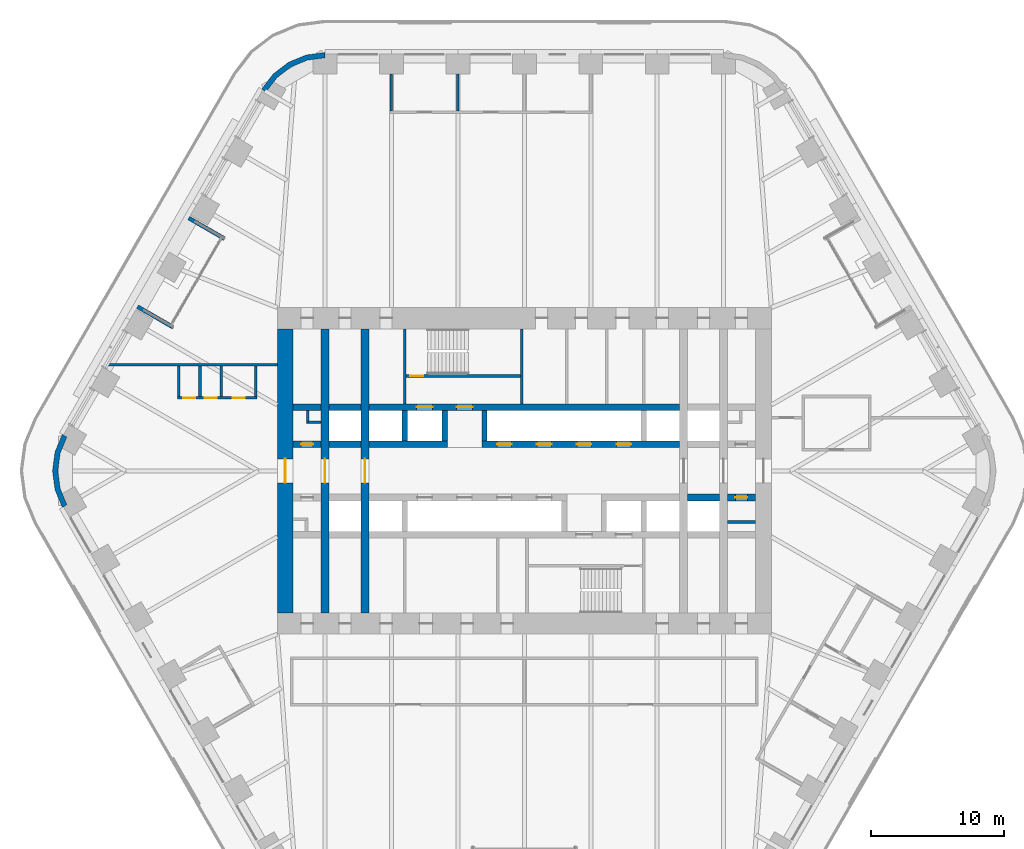
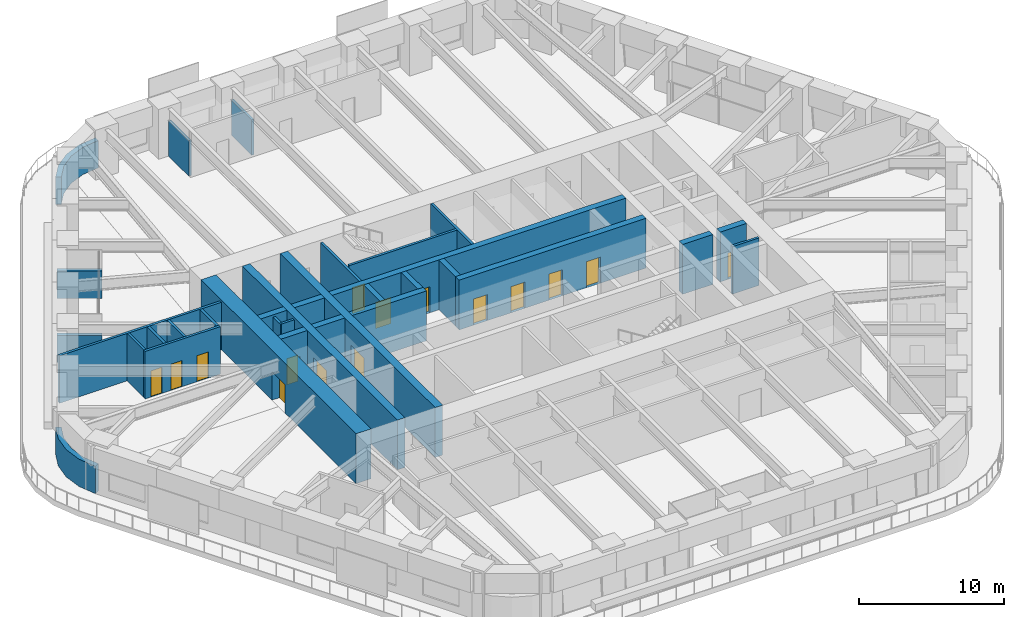
# One storey, part 19 of 24: 33 walls, 15 doors, 15 openings.
"""IFC4 building model written with IfcOpenShell, lengths in metres."""

from ifc_helpers import new_model, si_unit, direction, frame, frame_2d, origin, place, context, subcontext, project, spatial, polyline, rectangle, outline, extrude, material, layer, layer_set, type_object, element, fill, save


model = new_model("IFC4")

# Units and contexts
model_context = context("Model", 3, precision=1e-05, world=origin(), true_north=direction((0.0, 1.0)))
body_context = subcontext(model_context, "Body", "Model", "MODEL_VIEW")
ifc_project = project(units=[si_unit("LENGTHUNIT", "METRE"), si_unit("AREAUNIT", "SQUARE_METRE"), si_unit("VOLUMEUNIT", "CUBIC_METRE"), si_unit("PLANEANGLEUNIT", "RADIAN"), si_unit("MASSUNIT", "GRAM", prefix="KILO")], contexts=[model_context])

# Site, building, storey
site_placement = place(None, origin())
site = spatial("IfcSite", under=ifc_project, at=site_placement, CompositionType="ELEMENT")
building_placement = place(site_placement, origin())
building = spatial("IfcBuilding", under=site, at=building_placement, Name="Tarfa Lantern Tower", CompositionType="ELEMENT")
storey_placement = place(building_placement, frame((0.0, 0.0, 123.699951171875)))
storey = spatial("IfcBuildingStorey", under=building, at=storey_placement, Name="L27", CompositionType="ELEMENT", Elevation=123.699951171875)

# Walls
ifc_material_1 = material(Name="Limestone cladding on blockwork", Category="masonry")
ifc_layer_1 = layer(ifc_material_1, 0.300048828125)
ifc_layer_set_1 = layer_set([ifc_layer_1], Name="EW1 STONE-CLAD WALL 300")
wall_type_1 = type_object("IfcWallType", Name="EW1 STONE-CLAD WALL 300", PredefinedType="SOLIDWALL", material=ifc_layer_set_1)
wall_1_placement = place(storey_placement, frame((-25.266357421875, 19.037353515625, 0.0), z_axis=(0.0, 0.0, 1.0), x_axis=(0.86600983753, -0.500026960575, 0.0)))
element("IfcWall", 1, at=wall_1_placement, inside=storey, type_object=wall_type_1, Name="Loggia return NW 1", PredefinedType="SOLIDWALL", context=body_context, shape_type="SweptSolid", body=[
    extrude(rectangle(XDim=3.099853515625, YDim=0.300048828125, at=frame_2d((1.5498046875, 0.0))), origin(), (0.0, 0.0, 1.0), 2.300048828125),
])
wall_2_placement = place(storey_placement, frame((-29.1201171875, 12.362548828125, 0.0), z_axis=(0.0, 0.0, 1.0), x_axis=(0.86602952684, -0.49999285859, 0.0)))
element("IfcWall", 2, at=wall_2_placement, inside=storey, type_object=wall_type_1, Name="Loggia return NW 2", PredefinedType="SOLIDWALL", context=body_context, shape_type="SweptSolid", body=[
    extrude(rectangle(XDim=3.10009765625, YDim=0.300048828125, at=frame_2d((1.550048828125, 0.0))), origin(), (0.0, 0.0, 1.0), 2.300048828125),
])
ifc_layer_2 = layer(ifc_material_1, 0.39990234375)
ifc_layer_set_2 = layer_set([ifc_layer_2], Name="EW2 CURVED STONE CORNER 400")
wall_type_2 = type_object("IfcWallType", Name="EW2 CURVED STONE CORNER 400", PredefinedType="SOLIDWALL", material=ifc_layer_set_2)
wall_3_placement = place(storey_placement, origin())
element("IfcWall", 3, at=wall_3_placement, inside=storey, type_object=wall_type_2, Name="Stone corner N-NW", PredefinedType="SOLIDWALL", context=body_context, shape_type="SweptSolid", body=[
    extrude(outline(polyline([(-15.010986328125, 31.5), (-16.4345703125, 31.3125), (-17.760986328125, 30.76318359375), (-18.900146484375, 29.88916015625), (-19.774169921875, 28.75), (-19.427734375, 28.550048828125), (-18.617431640625, 29.606201171875), (-17.56103515625, 30.416748046875), (-16.3310546875, 30.92626953125), (-15.010986328125, 31.10009765625), (-15.010986328125, 31.5)])), origin(), (0.0, 0.0, 1.0), 2.300048828125),
])
wall_4_placement = place(storey_placement, origin())
element("IfcWall", 4, at=wall_4_placement, inside=storey, type_object=wall_type_2, Name="Stone corner NW-SW", PredefinedType="SOLIDWALL", context=body_context, shape_type="SweptSolid", body=[
    extrude(outline(polyline([(-34.785400390625, 2.75), (-35.334716796875, 1.423583984375), (-35.522216796875, 0.0), (-35.334716796875, -1.423583984375), (-34.785400390625, -2.75), (-34.43896484375, -2.550048828125), (-34.948486328125, -1.320068359375), (-35.122314453125, 0.0), (-34.948486328125, 1.320068359375), (-34.43896484375, 2.550048828125), (-34.785400390625, 2.75)])), origin(), (0.0, 0.0, 1.0), 2.300048828125),
])
ifc_material_2 = material(Name="Concrete blockwork", Category="masonry")
ifc_layer_3 = layer(ifc_material_2, 0.199951171875)
ifc_layer_set_3 = layer_set([ifc_layer_3], Name="IW1 BLOCKWORK PARTITION 200 EI 120")
wall_type_3 = type_object("IfcWallType", Name="IW1 BLOCKWORK PARTITION 200 EI 120", PredefinedType="PARTITIONING", material=ifc_layer_set_3)
wall_5_placement = place(storey_placement, frame((-9.0, 5.050048828125, 0.0), z_axis=(0.0, 0.0, 1.0), x_axis=(0.0, 1.0, 0.0)))
element("IfcWall", 5, at=wall_5_placement, inside=storey, type_object=wall_type_3, Name="Core partition", PredefinedType="PARTITIONING", context=body_context, shape_type="SweptSolid", body=[
    extrude(rectangle(XDim=5.64990234375, YDim=0.199951171875, at=frame_2d((2.824951171875, 0.0))), origin(), (0.0, 0.0, 1.0), 4.0),
])
for number, where, z_axis, x_axis, name in (
    (6, (-16.300048828125, 3.64990234375, 0.0), (0.0, 0.0, 1.0), (1.0, 0.0, 0.0), "Core partition"),
    (7, (-16.300048828125, 3.550048828125, 0.0), (0.0, 0.0, 1.0), (0.0, 1.0, 0.0), "Core partition"),
):
    element("IfcWall", number, at=place(storey_placement, frame(where, z_axis=z_axis, x_axis=x_axis)), inside=storey, type_object=wall_type_3, Name=name, PredefinedType="PARTITIONING", context=body_context, shape_type="SweptSolid", body=[
        extrude(rectangle(XDim=1.0, YDim=0.199951171875, at=frame_2d((0.5, 0.0))), origin(), (0.0, 0.0, 1.0), 4.0),
    ])
wall_6_placement = place(storey_placement, frame((17.39990234375, -3.85009765625, 0.0), z_axis=(0.0, 0.0, 1.0), x_axis=(-1.0, 0.0, 0.0)))
element("IfcWall", 8, at=wall_6_placement, inside=storey, type_object=wall_type_3, Name="Core partition", PredefinedType="PARTITIONING", context=body_context, shape_type="SweptSolid", body=[
    extrude(rectangle(XDim=2.099853515625, YDim=0.199951171875, at=frame_2d((1.0498046875, 0.0))), origin(), (0.0, 0.0, 1.0), 4.0),
])
ifc_material_3 = material(Name="Gypsum board on steel studs", Category="steel")
ifc_layer_4 = layer(ifc_material_3, 0.2099609375)
ifc_layer_set_4 = layer_set([ifc_layer_4], Name="IW2 ACOUSTIC PARTITION 200")
wall_type_4 = type_object("IfcWallType", Name="IW2 ACOUSTIC PARTITION 200", PredefinedType="PARTITIONING", material=ifc_layer_set_4)
for number, where, z_axis, x_axis, name in (
    (9, (-5.003662109375, 27.10009765625, 0.0), (0.0, 0.0, 1.0), (0.0, 1.0, 0.0), "Partition"),
    (10, (-10.00732421875, 27.10009765625, 0.0), (0.0, 0.0, 1.0), (0.0, 1.0, 0.0), "Partition"),
):
    element("IfcWall", number, at=place(storey_placement, frame(where, z_axis=z_axis, x_axis=x_axis)), inside=storey, type_object=wall_type_4, Name=name, PredefinedType="PARTITIONING", context=body_context, shape_type="SweptSolid", body=[
        extrude(rectangle(XDim=2.7998046875, YDim=0.199951171875, at=frame_2d((1.39990234375, 0.0))), origin(), (0.0, 0.0, 1.0), 2.991943359375),
    ])
wall_7_placement = place(storey_placement, frame((-18.60009765625, 8.0, 0.0), z_axis=(0.0, 0.0, 1.0), x_axis=(-1.0, 0.0, 0.0)))
element("IfcWall", 11, at=wall_7_placement, inside=storey, type_object=wall_type_4, Name="Partition", PredefinedType="PARTITIONING", context=body_context, shape_type="SweptSolid", body=[
    extrude(rectangle(XDim=12.89990234375, YDim=0.199951171875, at=frame_2d((6.449951171875, 0.0))), origin(), (0.0, 0.0, 1.0), 4.0),
])

# Wall, openings, doors
wall_8_placement = place(storey_placement, frame((-20.114990234375, 5.5, 0.0), z_axis=(0.0, 0.0, 1.0), x_axis=(-1.0, 0.0, 0.0)))
wall_8 = element("IfcWall", 12, at=wall_8_placement, inside=storey, type_object=wall_type_4, Name="Partition", PredefinedType="PARTITIONING", context=body_context, shape_type="SweptSolid", body=[
    extrude(rectangle(XDim=6.0, YDim=0.199951171875, at=frame_2d((3.0, 0.0))), origin(), (0.0, 0.0, 1.0), 4.0),
])
opening_1_placement = place(wall_8_placement, frame((0.949951171875, 0.0, 0.0)))
opening_1 = element("IfcOpeningElement", 13, at=opening_1_placement, cuts=wall_8, Name="Opening D44", PredefinedType="OPENING", context=body_context, shape_type="SweptSolid", body=[
    extrude(rectangle(XDim=0.89990234375, YDim=2.199951171875, at=frame_2d((0.449951171875, 1.10009765625))), frame((0.0, 0.10986328125, 0.0), z_axis=(0.0, -1.0, 0.0), x_axis=(1.0, 0.0, 0.0)), (0.0, 0.0, 1.0), 0.219970703125),
])
opening_2_placement = place(wall_8_placement, frame((3.050048828125, 0.0, 0.0)))
opening_2 = element("IfcOpeningElement", 14, at=opening_2_placement, cuts=wall_8, Name="Opening D45", PredefinedType="OPENING", context=body_context, shape_type="SweptSolid", body=[
    extrude(rectangle(XDim=0.89990234375, YDim=2.199951171875, at=frame_2d((0.449951171875, 1.10009765625))), frame((0.0, 0.10986328125, 0.0), z_axis=(0.0, -1.0, 0.0), x_axis=(1.0, 0.0, 0.0)), (0.0, 0.0, 1.0), 0.219970703125),
])
opening_3_placement = place(wall_8_placement, frame((4.64990234375, 0.0, 0.0)))
opening_3 = element("IfcOpeningElement", 15, at=opening_3_placement, cuts=wall_8, Name="Opening D46", PredefinedType="OPENING", context=body_context, shape_type="SweptSolid", body=[
    extrude(rectangle(XDim=0.89990234375, YDim=2.199951171875, at=frame_2d((0.449951171875, 1.10009765625))), frame((0.0, 0.10986328125, 0.0), z_axis=(0.0, -1.0, 0.0), x_axis=(1.0, 0.0, 0.0)), (0.0, 0.0, 1.0), 0.219970703125),
])
ifc_material_4 = material(Name="Timber door", Category="wood")
door_type_1 = type_object("IfcDoorType", Name="DR3 ROOM DOOR 900x2200", OperationType="SINGLE_SWING_LEFT", PredefinedType="DOOR", material=ifc_material_4)
door_1_placement = place(opening_1_placement, frame((0.89990234375, 0.0, 0.0), z_axis=(0.0, 0.0, 1.0), x_axis=(-1.0, 0.0, 0.0)))
door_1 = element("IfcDoor", 16, at=door_1_placement, inside=storey, type_object=door_type_1, Name="Print and copy room door", OperationType="SINGLE_SWING_LEFT", OverallHeight=2.199951171875, OverallWidth=0.89990234375, PredefinedType="DOOR", context=body_context, shape_type="SweptSolid", body=[
    extrude(rectangle(XDim=0.89990234375, YDim=2.199951171875, at=frame_2d((0.449951171875, 1.10009765625))), frame((0.0, 0.02490234375, 0.0), z_axis=(0.0, -1.0, 0.0), x_axis=(1.0, 0.0, 0.0)), (0.0, 0.0, 1.0), 0.050048828125),
])
fill(opening_1, door_1)
door_2_placement = place(opening_2_placement, frame((0.89990234375, 0.0, 0.0), z_axis=(0.0, 0.0, 1.0), x_axis=(-1.0, 0.0, 0.0)))
door_2 = element("IfcDoor", 17, at=door_2_placement, inside=storey, type_object=door_type_1, Name="Phone booth door", OperationType="SINGLE_SWING_RIGHT", OverallHeight=2.199951171875, OverallWidth=0.89990234375, PredefinedType="DOOR", context=body_context, shape_type="SweptSolid", body=[
    extrude(rectangle(XDim=0.89990234375, YDim=2.199951171875, at=frame_2d((0.449951171875, 1.10009765625))), frame((0.0, 0.02490234375, 0.0), z_axis=(0.0, -1.0, 0.0), x_axis=(1.0, 0.0, 0.0)), (0.0, 0.0, 1.0), 0.050048828125),
])
fill(opening_2, door_2)
door_3_placement = place(opening_3_placement, frame((0.89990234375, 0.0, 0.0), z_axis=(0.0, 0.0, 1.0), x_axis=(-1.0, 0.0, 0.0)))
door_3 = element("IfcDoor", 18, at=door_3_placement, inside=storey, type_object=door_type_1, Name="Phone booth door", OperationType="SINGLE_SWING_RIGHT", OverallHeight=2.199951171875, OverallWidth=0.89990234375, PredefinedType="DOOR", context=body_context, shape_type="SweptSolid", body=[
    extrude(rectangle(XDim=0.89990234375, YDim=2.199951171875, at=frame_2d((0.449951171875, 1.10009765625))), frame((0.0, 0.02490234375, 0.0), z_axis=(0.0, -1.0, 0.0), x_axis=(1.0, 0.0, 0.0)), (0.0, 0.0, 1.0), 0.050048828125),
])
fill(opening_3, door_3)

# Walls
for number, where, z_axis, x_axis, name in (
    (19, (-20.215087890625, 7.89990234375, 0.0), (0.0, 0.0, 1.0), (0.0, -1.0, 0.0), "Partition"),
    (20, (-22.81494140625, 7.89990234375, 0.0), (0.0, 0.0, 1.0), (0.0, -1.0, 0.0), "Partition"),
    (21, (-24.4150390625, 7.89990234375, 0.0), (0.0, 0.0, 1.0), (0.0, -1.0, 0.0), "Partition"),
    (22, (-26.01513671875, 7.89990234375, 0.0), (0.0, 0.0, 1.0), (0.0, -1.0, 0.0), "Partition"),
):
    element("IfcWall", number, at=place(storey_placement, frame(where, z_axis=z_axis, x_axis=x_axis)), inside=storey, type_object=wall_type_4, Name=name, PredefinedType="PARTITIONING", context=body_context, shape_type="SweptSolid", body=[
        extrude(rectangle(XDim=2.2998046875, YDim=0.199951171875, at=frame_2d((1.14990234375, 0.0))), origin(), (0.0, 0.0, 1.0), 4.0),
    ])

# Wall, opening, door
ifc_material_5 = material(Name="Concrete C80/95", Category="concrete")
ifc_layer_5 = layer(ifc_material_5, 1.199951171875)
ifc_layer_set_5 = layer_set([ifc_layer_5], Name="SW1 CORE WALL 1200")
wall_type_5 = type_object("IfcWallType", Name="SW1 CORE WALL 1200", PredefinedType="SHEAR", material=ifc_layer_set_5)
wall_9_placement = place(storey_placement, frame((-18.0, 10.699951171875, 0.0), z_axis=(0.0, 0.0, 1.0), x_axis=(0.0, -1.0, 0.0)))
wall_9 = element("IfcWall", 23, at=wall_9_placement, inside=storey, type_object=wall_type_5, Name="Core wall W", PredefinedType="SHEAR", context=body_context, shape_type="SweptSolid", body=[
    extrude(rectangle(XDim=21.39990234375, YDim=1.199951171875, at=frame_2d((10.699951171875, 0.0))), origin(), (0.0, 0.0, 1.0), 4.199951171875),
])
opening_4_placement = place(wall_9_placement, frame((9.800048828125, 0.0, 0.0)))
opening_4 = element("IfcOpeningElement", 24, at=opening_4_placement, cuts=wall_9, Name="Opening D16", PredefinedType="OPENING", context=body_context, shape_type="SweptSolid", body=[
    extrude(rectangle(XDim=1.800048828125, YDim=2.39990234375, at=frame_2d((0.89990234375, 1.199951171875))), frame((0.0, 0.60986328125, 0.0), z_axis=(0.0, -1.0, 0.0), x_axis=(1.0, 0.0, 0.0)), (0.0, 0.0, 1.0), 1.219970703125),
])
ifc_material_6 = material(Name="Steel fire door", Category="steel")
door_type_2 = type_object("IfcDoorType", Name="DL1 LOBBY DOOR 1800x2400", OperationType="DOUBLE_DOOR_SINGLE_SWING", PredefinedType="DOOR", material=ifc_material_6)
door_4_placement = place(opening_4_placement, frame((1.800048828125, 0.0, 0.0), z_axis=(0.0, 0.0, 1.0), x_axis=(-1.0, 0.0, 0.0)))
door_4 = element("IfcDoor", 25, at=door_4_placement, inside=storey, type_object=door_type_2, Name="Lift lobby door", OperationType="DOUBLE_DOOR_SINGLE_SWING", OverallHeight=2.39990234375, OverallWidth=1.800048828125, PredefinedType="DOOR", context=body_context, shape_type="SweptSolid", body=[
    extrude(rectangle(XDim=1.800048828125, YDim=2.39990234375, at=frame_2d((0.89990234375, 1.199951171875))), frame((0.0, 0.02490234375, 0.0), z_axis=(0.0, -1.0, 0.0), x_axis=(1.0, 0.0, 0.0)), (0.0, 0.0, 1.0), 0.050048828125),
])
fill(opening_4, door_4)

# Wall
ifc_layer_6 = layer(ifc_material_5, 0.199951171875)
ifc_layer_set_6 = layer_set([ifc_layer_6], Name="SW12 CORE WALL 200")
wall_type_6 = type_object("IfcWallType", Name="SW12 CORE WALL 200", PredefinedType="SHEAR", material=ifc_layer_set_6)
wall_10_placement = place(storey_placement, frame((-0.199951171875, 5.050048828125, 0.0), z_axis=(0.0, 0.0, 1.0), x_axis=(0.0, 1.0, 0.0)))
element("IfcWall", 26, at=wall_10_placement, inside=storey, type_object=wall_type_6, Name="Core wall stair shaft N", PredefinedType="SHEAR", context=body_context, shape_type="SweptSolid", body=[
    extrude(rectangle(XDim=5.64990234375, YDim=0.199951171875, at=frame_2d((2.824951171875, 0.0))), origin(), (0.0, 0.0, 1.0), 4.199951171875),
])

# Wall, opening, door
wall_11_placement = place(storey_placement, frame((-8.89990234375, 7.14990234375, 0.0), z_axis=(0.0, 0.0, 1.0), x_axis=(1.0, 0.0, 0.0)))
wall_11 = element("IfcWall", 27, at=wall_11_placement, inside=storey, type_object=wall_type_6, Name="Core wall stair partition N", PredefinedType="SHEAR", context=body_context, shape_type="SweptSolid", body=[
    extrude(rectangle(XDim=8.599853515625, YDim=0.199951171875, at=frame_2d((4.2998046875, 0.0))), origin(), (0.0, 0.0, 1.0), 4.199951171875),
])
opening_5_placement = place(wall_11_placement, frame((0.300048828125, 0.0, 0.0)))
opening_5 = element("IfcOpeningElement", 28, at=opening_5_placement, cuts=wall_11, Name="Opening D27", PredefinedType="OPENING", context=body_context, shape_type="SweptSolid", body=[
    extrude(rectangle(XDim=1.0, YDim=2.199951171875, at=frame_2d((0.5, 1.10009765625))), frame((0.0, 0.10986328125, 0.0), z_axis=(0.0, -1.0, 0.0), x_axis=(1.0, 0.0, 0.0)), (0.0, 0.0, 1.0), 0.219970703125),
])
door_type_3 = type_object("IfcDoorType", Name="DF2 STAIR DOOR 1000x2200", OperationType="SINGLE_SWING_LEFT", PredefinedType="DOOR", material=ifc_material_6)
door_5_placement = place(opening_5_placement, origin())
door_5 = element("IfcDoor", 29, at=door_5_placement, inside=storey, type_object=door_type_3, Name="Stair door", OperationType="SINGLE_SWING_RIGHT", OverallHeight=2.199951171875, OverallWidth=1.0, PredefinedType="DOOR", context=body_context, shape_type="SweptSolid", body=[
    extrude(rectangle(XDim=1.0, YDim=2.199951171875, at=frame_2d((0.5, 1.10009765625))), frame((0.0, 0.02490234375, 0.0), z_axis=(0.0, -1.0, 0.0), x_axis=(1.0, 0.0, 0.0)), (0.0, 0.0, 1.0), 0.050048828125),
])
fill(opening_5, door_5)

ifc_layer_7 = layer(ifc_material_5, 0.5)
ifc_layer_set_7 = layer_set([ifc_layer_7], Name="SW5 CORE WALL 500")
wall_type_7 = type_object("IfcWallType", Name="SW5 CORE WALL 500", PredefinedType="SHEAR", material=ifc_layer_set_7)
wall_12_placement = place(storey_placement, frame((-17.39990234375, 2.0, 0.0), z_axis=(0.0, 0.0, 1.0), x_axis=(1.0, 0.0, 0.0)))
wall_12 = element("IfcWall", 30, at=wall_12_placement, inside=storey, type_object=wall_type_7, Name="Core wall lobby west N", PredefinedType="SHEAR", context=body_context, shape_type="SweptSolid", body=[
    extrude(rectangle(XDim=2.099853515625, YDim=0.5, at=frame_2d((1.0498046875, 0.0))), origin(), (0.0, 0.0, 1.0), 4.199951171875),
])
opening_6_placement = place(wall_12_placement, frame((0.60009765625, 0.0, 0.0)))
opening_6 = element("IfcOpeningElement", 31, at=opening_6_placement, cuts=wall_12, Name="Opening D19", PredefinedType="OPENING", context=body_context, shape_type="SweptSolid", body=[
    extrude(rectangle(XDim=0.89990234375, YDim=2.199951171875, at=frame_2d((0.449951171875, 1.10009765625))), frame((0.0, 0.260009765625, 0.0), z_axis=(0.0, -1.0, 0.0), x_axis=(1.0, 0.0, 0.0)), (0.0, 0.0, 1.0), 0.52001953125),
])
door_type_4 = type_object("IfcDoorType", Name="DF6 SERVICE ROOM DOOR 900x2200", OperationType="SINGLE_SWING_LEFT", PredefinedType="DOOR", material=ifc_material_6)
door_6_placement = place(opening_6_placement, origin())
door_6 = element("IfcDoor", 32, at=door_6_placement, inside=storey, type_object=door_type_4, Name="Service room door", OperationType="SINGLE_SWING_LEFT", OverallHeight=2.199951171875, OverallWidth=0.89990234375, PredefinedType="DOOR", context=body_context, shape_type="SweptSolid", body=[
    extrude(rectangle(XDim=0.89990234375, YDim=2.199951171875, at=frame_2d((0.449951171875, 1.10009765625))), frame((0.0, 0.02490234375, 0.0), z_axis=(0.0, -1.0, 0.0), x_axis=(1.0, 0.0, 0.0)), (0.0, 0.0, 1.0), 0.050048828125),
])
fill(opening_6, door_6)

# Walls
wall_13_placement = place(storey_placement, frame((-14.699951171875, 2.0, 0.0), z_axis=(0.0, 0.0, 1.0), x_axis=(1.0, 0.0, 0.0)))
element("IfcWall", 33, at=wall_13_placement, inside=storey, type_object=wall_type_7, Name="Core wall lobby west N", PredefinedType="SHEAR", context=body_context, shape_type="SweptSolid", body=[
    extrude(rectangle(XDim=2.39990234375, YDim=0.5, at=frame_2d((1.199951171875, 0.0))), origin(), (0.0, 0.0, 1.0), 4.199951171875),
])
wall_14_placement = place(storey_placement, frame((-11.699951171875, 2.0, 0.0), z_axis=(0.0, 0.0, 1.0), x_axis=(1.0, 0.0, 0.0)))
element("IfcWall", 34, at=wall_14_placement, inside=storey, type_object=wall_type_7, Name="Core wall lobby west N", PredefinedType="SHEAR", context=body_context, shape_type="SweptSolid", body=[
    extrude(rectangle(XDim=5.89990234375, YDim=0.5, at=frame_2d((2.949951171875, 0.0))), origin(), (0.0, 0.0, 1.0), 4.199951171875),
])

# Wall, openings, doors
wall_15_placement = place(storey_placement, frame((-3.199951171875, 2.0, 0.0), z_axis=(0.0, 0.0, 1.0), x_axis=(1.0, 0.0, 0.0)))
wall_15 = element("IfcWall", 35, at=wall_15_placement, inside=storey, type_object=wall_type_7, Name="Core wall lobby east N", PredefinedType="SHEAR", context=body_context, shape_type="SweptSolid", body=[
    extrude(rectangle(XDim=14.89990234375, YDim=0.5, at=frame_2d((7.449951171875, 0.0))), origin(), (0.0, 0.0, 1.0), 4.199951171875),
])
opening_7_placement = place(wall_15_placement, frame((1.14990234375, 0.0, 0.0)))
opening_7 = element("IfcOpeningElement", 36, at=opening_7_placement, cuts=wall_15, Name="Opening LD03", PredefinedType="OPENING", context=body_context, shape_type="SweptSolid", body=[
    extrude(rectangle(XDim=1.10009765625, YDim=2.199951171875, at=frame_2d((0.550048828125, 1.10009765625))), frame((0.0, 0.260009765625, 0.0), z_axis=(0.0, -1.0, 0.0), x_axis=(1.0, 0.0, 0.0)), (0.0, 0.0, 1.0), 0.52001953125),
])
opening_8_placement = place(wall_15_placement, frame((4.14990234375, 0.0, 0.0)))
opening_8 = element("IfcOpeningElement", 37, at=opening_8_placement, cuts=wall_15, Name="Opening LD04", PredefinedType="OPENING", context=body_context, shape_type="SweptSolid", body=[
    extrude(rectangle(XDim=1.10009765625, YDim=2.199951171875, at=frame_2d((0.550048828125, 1.10009765625))), frame((0.0, 0.260009765625, 0.0), z_axis=(0.0, -1.0, 0.0), x_axis=(1.0, 0.0, 0.0)), (0.0, 0.0, 1.0), 0.52001953125),
])
opening_9_placement = place(wall_15_placement, frame((7.14990234375, 0.0, 0.0)))
opening_9 = element("IfcOpeningElement", 38, at=opening_9_placement, cuts=wall_15, Name="Opening LD05", PredefinedType="OPENING", context=body_context, shape_type="SweptSolid", body=[
    extrude(rectangle(XDim=1.10009765625, YDim=2.199951171875, at=frame_2d((0.550048828125, 1.10009765625))), frame((0.0, 0.260009765625, 0.0), z_axis=(0.0, -1.0, 0.0), x_axis=(1.0, 0.0, 0.0)), (0.0, 0.0, 1.0), 0.52001953125),
])
opening_10_placement = place(wall_15_placement, frame((10.14990234375, 0.0, 0.0)))
opening_10 = element("IfcOpeningElement", 39, at=opening_10_placement, cuts=wall_15, Name="Opening LD06", PredefinedType="OPENING", context=body_context, shape_type="SweptSolid", body=[
    extrude(rectangle(XDim=1.10009765625, YDim=2.199951171875, at=frame_2d((0.550048828125, 1.10009765625))), frame((0.0, 0.260009765625, 0.0), z_axis=(0.0, -1.0, 0.0), x_axis=(1.0, 0.0, 0.0)), (0.0, 0.0, 1.0), 0.52001953125),
])
ifc_material_7 = material(Name="Stainless steel lift door", Category="steel")
door_type_5 = type_object("IfcDoorType", Name="LD2 LIFT LANDING DOOR 1100x2200", OperationType="SLIDING_TO_LEFT", PredefinedType="DOOR", material=ifc_material_7)
door_7_placement = place(opening_7_placement, frame((1.10009765625, 0.0, 0.0), z_axis=(0.0, 0.0, 1.0), x_axis=(-1.0, 0.0, 0.0)))
door_7 = element("IfcDoor", 40, at=door_7_placement, inside=storey, type_object=door_type_5, Name="Landing door PB1", OperationType="SLIDING_TO_LEFT", OverallHeight=2.199951171875, OverallWidth=1.10009765625, PredefinedType="DOOR", context=body_context, shape_type="SweptSolid", body=[
    extrude(rectangle(XDim=1.10009765625, YDim=2.199951171875, at=frame_2d((0.550048828125, 1.10009765625))), frame((0.0, 0.02490234375, 0.0), z_axis=(0.0, -1.0, 0.0), x_axis=(1.0, 0.0, 0.0)), (0.0, 0.0, 1.0), 0.050048828125),
])
fill(opening_7, door_7)
door_8_placement = place(opening_8_placement, frame((1.10009765625, 0.0, 0.0), z_axis=(0.0, 0.0, 1.0), x_axis=(-1.0, 0.0, 0.0)))
door_8 = element("IfcDoor", 41, at=door_8_placement, inside=storey, type_object=door_type_5, Name="Landing door PB2", OperationType="SLIDING_TO_LEFT", OverallHeight=2.199951171875, OverallWidth=1.10009765625, PredefinedType="DOOR", context=body_context, shape_type="SweptSolid", body=[
    extrude(rectangle(XDim=1.10009765625, YDim=2.199951171875, at=frame_2d((0.550048828125, 1.10009765625))), frame((0.0, 0.02490234375, 0.0), z_axis=(0.0, -1.0, 0.0), x_axis=(1.0, 0.0, 0.0)), (0.0, 0.0, 1.0), 0.050048828125),
])
fill(opening_8, door_8)
door_9_placement = place(opening_9_placement, frame((1.10009765625, 0.0, 0.0), z_axis=(0.0, 0.0, 1.0), x_axis=(-1.0, 0.0, 0.0)))
door_9 = element("IfcDoor", 42, at=door_9_placement, inside=storey, type_object=door_type_5, Name="Landing door PB3", OperationType="SLIDING_TO_LEFT", OverallHeight=2.199951171875, OverallWidth=1.10009765625, PredefinedType="DOOR", context=body_context, shape_type="SweptSolid", body=[
    extrude(rectangle(XDim=1.10009765625, YDim=2.199951171875, at=frame_2d((0.550048828125, 1.10009765625))), frame((0.0, 0.02490234375, 0.0), z_axis=(0.0, -1.0, 0.0), x_axis=(1.0, 0.0, 0.0)), (0.0, 0.0, 1.0), 0.050048828125),
])
fill(opening_9, door_9)
door_10_placement = place(opening_10_placement, frame((1.10009765625, 0.0, 0.0), z_axis=(0.0, 0.0, 1.0), x_axis=(-1.0, 0.0, 0.0)))
door_10 = element("IfcDoor", 43, at=door_10_placement, inside=storey, type_object=door_type_5, Name="Landing door PB4", OperationType="SLIDING_TO_LEFT", OverallHeight=2.199951171875, OverallWidth=1.10009765625, PredefinedType="DOOR", context=body_context, shape_type="SweptSolid", body=[
    extrude(rectangle(XDim=1.10009765625, YDim=2.199951171875, at=frame_2d((0.550048828125, 1.10009765625))), frame((0.0, 0.02490234375, 0.0), z_axis=(0.0, -1.0, 0.0), x_axis=(1.0, 0.0, 0.0)), (0.0, 0.0, 1.0), 0.050048828125),
])
fill(opening_10, door_10)

# Walls
wall_16_placement = place(storey_placement, frame((-17.39990234375, 4.800048828125, 0.0), z_axis=(0.0, 0.0, 1.0), x_axis=(1.0, 0.0, 0.0)))
element("IfcWall", 44, at=wall_16_placement, inside=storey, type_object=wall_type_7, Name="Core wall rear N", PredefinedType="SHEAR", context=body_context, shape_type="SweptSolid", body=[
    extrude(rectangle(XDim=2.099853515625, YDim=0.5, at=frame_2d((1.0498046875, 0.0))), origin(), (0.0, 0.0, 1.0), 4.199951171875),
])
wall_17_placement = place(storey_placement, frame((-14.699951171875, 4.800048828125, 0.0), z_axis=(0.0, 0.0, 1.0), x_axis=(1.0, 0.0, 0.0)))
element("IfcWall", 45, at=wall_17_placement, inside=storey, type_object=wall_type_7, Name="Core wall rear N", PredefinedType="SHEAR", context=body_context, shape_type="SweptSolid", body=[
    extrude(rectangle(XDim=2.39990234375, YDim=0.5, at=frame_2d((1.199951171875, 0.0))), origin(), (0.0, 0.0, 1.0), 4.199951171875),
])

# Wall, openings, doors
wall_18_placement = place(storey_placement, frame((-11.699951171875, 4.800048828125, 0.0), z_axis=(0.0, 0.0, 1.0), x_axis=(1.0, 0.0, 0.0)))
wall_18 = element("IfcWall", 46, at=wall_18_placement, inside=storey, type_object=wall_type_7, Name="Core wall rear N", PredefinedType="SHEAR", context=body_context, shape_type="SweptSolid", body=[
    extrude(rectangle(XDim=23.39990234375, YDim=0.5, at=frame_2d((11.699951171875, 0.0))), origin(), (0.0, 0.0, 1.0), 4.199951171875),
])
opening_11_placement = place(wall_18_placement, frame((6.60009765625, 0.0, 0.0)))
opening_11 = element("IfcOpeningElement", 47, at=opening_11_placement, cuts=wall_18, Name="Opening D13", PredefinedType="OPENING", context=body_context, shape_type="SweptSolid", body=[
    extrude(rectangle(XDim=1.199951171875, YDim=2.199951171875, at=frame_2d((0.60009765625, 1.10009765625))), frame((0.0, 0.260009765625, 0.0), z_axis=(0.0, -1.0, 0.0), x_axis=(1.0, 0.0, 0.0)), (0.0, 0.0, 1.0), 0.52001953125),
])
opening_12_placement = place(wall_18_placement, frame((3.60009765625, 0.0, 0.0)))
opening_12 = element("IfcOpeningElement", 48, at=opening_12_placement, cuts=wall_18, Name="Opening LD01", PredefinedType="OPENING", context=body_context, shape_type="SweptSolid", body=[
    extrude(rectangle(XDim=1.199951171875, YDim=2.199951171875, at=frame_2d((0.60009765625, 1.10009765625))), frame((0.0, 0.260009765625, 0.0), z_axis=(0.0, -1.0, 0.0), x_axis=(1.0, 0.0, 0.0)), (0.0, 0.0, 1.0), 0.52001953125),
])
door_type_6 = type_object("IfcDoorType", Name="DF1 FIREFIGHTING LOBBY DOOR 1200x2200", OperationType="SINGLE_SWING_LEFT", PredefinedType="DOOR", material=ifc_material_6)
door_11_placement = place(opening_11_placement, origin())
door_11 = element("IfcDoor", 49, at=door_11_placement, inside=storey, type_object=door_type_6, Name="Firefighting lobby door", OperationType="SINGLE_SWING_LEFT", OverallHeight=2.199951171875, OverallWidth=1.199951171875, PredefinedType="DOOR", context=body_context, shape_type="SweptSolid", body=[
    extrude(rectangle(XDim=1.199951171875, YDim=2.199951171875, at=frame_2d((0.60009765625, 1.10009765625))), frame((0.0, 0.02490234375, 0.0), z_axis=(0.0, -1.0, 0.0), x_axis=(1.0, 0.0, 0.0)), (0.0, 0.0, 1.0), 0.050048828125),
])
fill(opening_11, door_11)
door_type_7 = type_object("IfcDoorType", Name="LD1 LIFT LANDING DOOR 1200x2200", OperationType="SLIDING_TO_LEFT", PredefinedType="DOOR", material=ifc_material_7)
door_12_placement = place(opening_12_placement, origin())
door_12 = element("IfcDoor", 50, at=door_12_placement, inside=storey, type_object=door_type_7, Name="Landing door FL1", OperationType="SLIDING_TO_LEFT", OverallHeight=2.199951171875, OverallWidth=1.199951171875, PredefinedType="DOOR", context=body_context, shape_type="SweptSolid", body=[
    extrude(rectangle(XDim=1.199951171875, YDim=2.199951171875, at=frame_2d((0.60009765625, 1.10009765625))), frame((0.0, 0.02490234375, 0.0), z_axis=(0.0, -1.0, 0.0), x_axis=(1.0, 0.0, 0.0)), (0.0, 0.0, 1.0), 0.050048828125),
])
fill(opening_12, door_12)

# Wall, opening, door
wall_19_placement = place(storey_placement, frame((17.39990234375, -2.0, 0.0), z_axis=(0.0, 0.0, 1.0), x_axis=(-1.0, 0.0, 0.0)))
wall_19 = element("IfcWall", 51, at=wall_19_placement, inside=storey, type_object=wall_type_7, Name="Core wall lobby west S", PredefinedType="SHEAR", context=body_context, shape_type="SweptSolid", body=[
    extrude(rectangle(XDim=2.099853515625, YDim=0.5, at=frame_2d((1.0498046875, 0.0))), origin(), (0.0, 0.0, 1.0), 4.199951171875),
])
opening_13_placement = place(wall_19_placement, frame((0.60009765625, 0.0, 0.0)))
opening_13 = element("IfcOpeningElement", 52, at=opening_13_placement, cuts=wall_19, Name="Opening D20", PredefinedType="OPENING", context=body_context, shape_type="SweptSolid", body=[
    extrude(rectangle(XDim=0.89990234375, YDim=2.199951171875, at=frame_2d((0.449951171875, 1.10009765625))), frame((0.0, 0.260009765625, 0.0), z_axis=(0.0, -1.0, 0.0), x_axis=(1.0, 0.0, 0.0)), (0.0, 0.0, 1.0), 0.52001953125),
])
door_13_placement = place(opening_13_placement, origin())
door_13 = element("IfcDoor", 53, at=door_13_placement, inside=storey, type_object=door_type_4, Name="Service room door", OperationType="SINGLE_SWING_LEFT", OverallHeight=2.199951171875, OverallWidth=0.89990234375, PredefinedType="DOOR", context=body_context, shape_type="SweptSolid", body=[
    extrude(rectangle(XDim=0.89990234375, YDim=2.199951171875, at=frame_2d((0.449951171875, 1.10009765625))), frame((0.0, 0.02490234375, 0.0), z_axis=(0.0, -1.0, 0.0), x_axis=(1.0, 0.0, 0.0)), (0.0, 0.0, 1.0), 0.050048828125),
])
fill(opening_13, door_13)

# Walls
wall_20_placement = place(storey_placement, frame((14.699951171875, -2.0, 0.0), z_axis=(0.0, 0.0, 1.0), x_axis=(-1.0, 0.0, 0.0)))
element("IfcWall", 54, at=wall_20_placement, inside=storey, type_object=wall_type_7, Name="Core wall lobby west S", PredefinedType="SHEAR", context=body_context, shape_type="SweptSolid", body=[
    extrude(rectangle(XDim=2.39990234375, YDim=0.5, at=frame_2d((1.199951171875, 0.0))), origin(), (0.0, 0.0, 1.0), 4.199951171875),
])
ifc_layer_8 = layer(ifc_material_5, 0.39990234375)
ifc_layer_set_8 = layer_set([ifc_layer_8], Name="SW6 CORE WALL 400")
wall_type_8 = type_object("IfcWallType", Name="SW6 CORE WALL 400", PredefinedType="SHEAR", material=ifc_layer_set_8)
for number, where, z_axis, x_axis, name in (
    (55, (-9.0, 2.25, 0.0), (0.0, 0.0, 1.0), (0.0, 1.0, 0.0), "Core wall divider N"),
    (56, (-6.0, 2.25, 0.0), (0.0, 0.0, 1.0), (0.0, 1.0, 0.0), "Core wall divider N"),
    (57, (-3.0, 2.25, 0.0), (0.0, 0.0, 1.0), (0.0, 1.0, 0.0), "Core wall divider N"),
):
    element("IfcWall", number, at=place(storey_placement, frame(where, z_axis=z_axis, x_axis=x_axis)), inside=storey, type_object=wall_type_8, Name=name, PredefinedType="SHEAR", context=body_context, shape_type="SweptSolid", body=[
        extrude(rectangle(XDim=2.300048828125, YDim=0.39990234375, at=frame_2d((1.14990234375, 0.0))), origin(), (0.0, 0.0, 1.0), 4.199951171875),
    ])

# Wall, opening, door
ifc_layer_9 = layer(ifc_material_5, 0.60009765625)
ifc_layer_set_9 = layer_set([ifc_layer_9], Name="SW9 CORE WALL 600")
wall_type_9 = type_object("IfcWallType", Name="SW9 CORE WALL 600", PredefinedType="SHEAR", material=ifc_layer_set_9)
wall_21_placement = place(storey_placement, frame((-12.0, -10.699951171875, 0.0), z_axis=(0.0, 0.0, 1.0), x_axis=(0.0, 1.0, 0.0)))
wall_21 = element("IfcWall", 58, at=wall_21_placement, inside=storey, type_object=wall_type_9, Name="Core wall cross 12 m west", PredefinedType="SHEAR", context=body_context, shape_type="SweptSolid", body=[
    extrude(rectangle(XDim=21.39990234375, YDim=0.60009765625, at=frame_2d((10.699951171875, 0.0))), origin(), (0.0, 0.0, 1.0), 4.199951171875),
])
opening_14_placement = place(wall_21_placement, frame((9.800048828125, 0.0, 0.0)))
opening_14 = element("IfcOpeningElement", 59, at=opening_14_placement, cuts=wall_21, Name="Opening D31", PredefinedType="OPENING", context=body_context, shape_type="SweptSolid", body=[
    extrude(rectangle(XDim=1.800048828125, YDim=2.39990234375, at=frame_2d((0.89990234375, 1.199951171875))), frame((0.0, 0.31005859375, 0.0), z_axis=(0.0, -1.0, 0.0), x_axis=(1.0, 0.0, 0.0)), (0.0, 0.0, 1.0), 0.6201171875),
])
door_14_placement = place(opening_14_placement, origin())
door_14 = element("IfcDoor", 60, at=door_14_placement, inside=storey, type_object=door_type_2, Name="Lift lobby door", OperationType="DOUBLE_DOOR_SINGLE_SWING", OverallHeight=2.39990234375, OverallWidth=1.800048828125, PredefinedType="DOOR", context=body_context, shape_type="SweptSolid", body=[
    extrude(rectangle(XDim=1.800048828125, YDim=2.39990234375, at=frame_2d((0.89990234375, 1.199951171875))), frame((0.0, 0.02490234375, 0.0), z_axis=(0.0, -1.0, 0.0), x_axis=(1.0, 0.0, 0.0)), (0.0, 0.0, 1.0), 0.050048828125),
])
fill(opening_14, door_14)

wall_22_placement = place(storey_placement, frame((-15.0, -10.699951171875, 0.0), z_axis=(0.0, 0.0, 1.0), x_axis=(0.0, 1.0, 0.0)))
wall_22 = element("IfcWall", 61, at=wall_22_placement, inside=storey, type_object=wall_type_9, Name="Core wall cross 15 m west", PredefinedType="SHEAR", context=body_context, shape_type="SweptSolid", body=[
    extrude(rectangle(XDim=21.39990234375, YDim=0.60009765625, at=frame_2d((10.699951171875, 0.0))), origin(), (0.0, 0.0, 1.0), 4.199951171875),
])
opening_15_placement = place(wall_22_placement, frame((9.800048828125, 0.0, 0.0)))
opening_15 = element("IfcOpeningElement", 62, at=opening_15_placement, cuts=wall_22, Name="Opening D32", PredefinedType="OPENING", context=body_context, shape_type="SweptSolid", body=[
    extrude(rectangle(XDim=1.800048828125, YDim=2.39990234375, at=frame_2d((0.89990234375, 1.199951171875))), frame((0.0, 0.31005859375, 0.0), z_axis=(0.0, -1.0, 0.0), x_axis=(1.0, 0.0, 0.0)), (0.0, 0.0, 1.0), 0.6201171875),
])
door_15_placement = place(opening_15_placement, origin())
door_15 = element("IfcDoor", 63, at=door_15_placement, inside=storey, type_object=door_type_2, Name="Lift lobby door", OperationType="DOUBLE_DOOR_SINGLE_SWING", OverallHeight=2.39990234375, OverallWidth=1.800048828125, PredefinedType="DOOR", context=body_context, shape_type="SweptSolid", body=[
    extrude(rectangle(XDim=1.800048828125, YDim=2.39990234375, at=frame_2d((0.89990234375, 1.199951171875))), frame((0.0, 0.02490234375, 0.0), z_axis=(0.0, -1.0, 0.0), x_axis=(1.0, 0.0, 0.0)), (0.0, 0.0, 1.0), 0.050048828125),
])
fill(opening_15, door_15)

save(model, "model.ifc")
